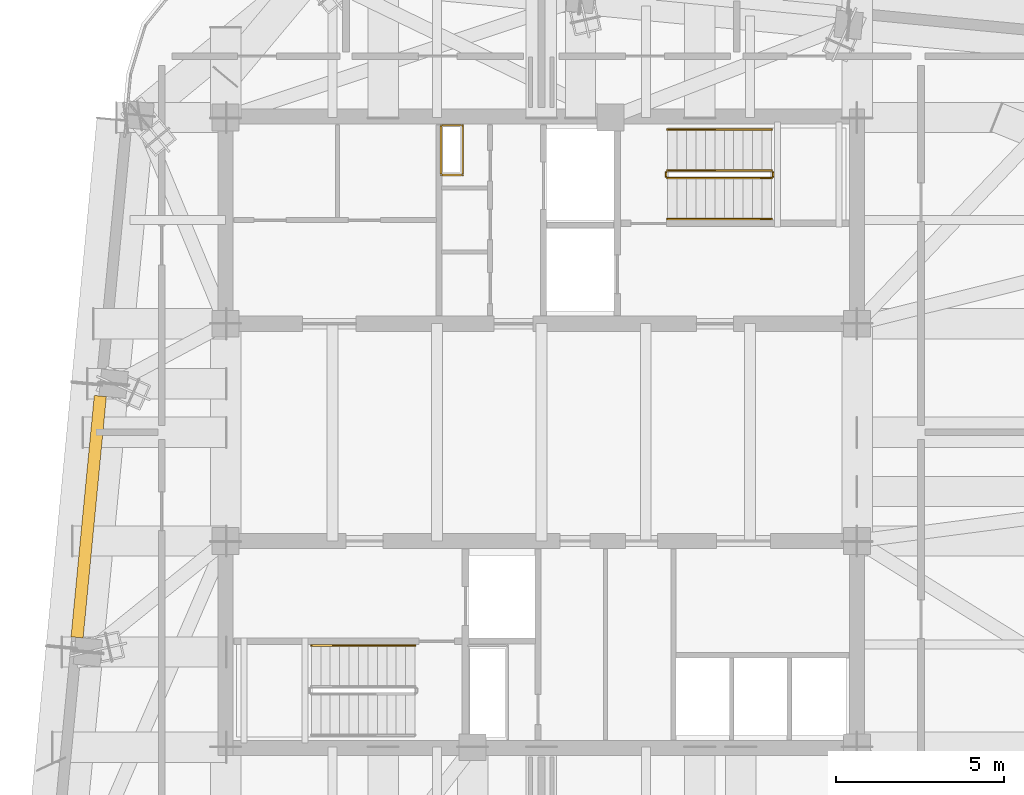
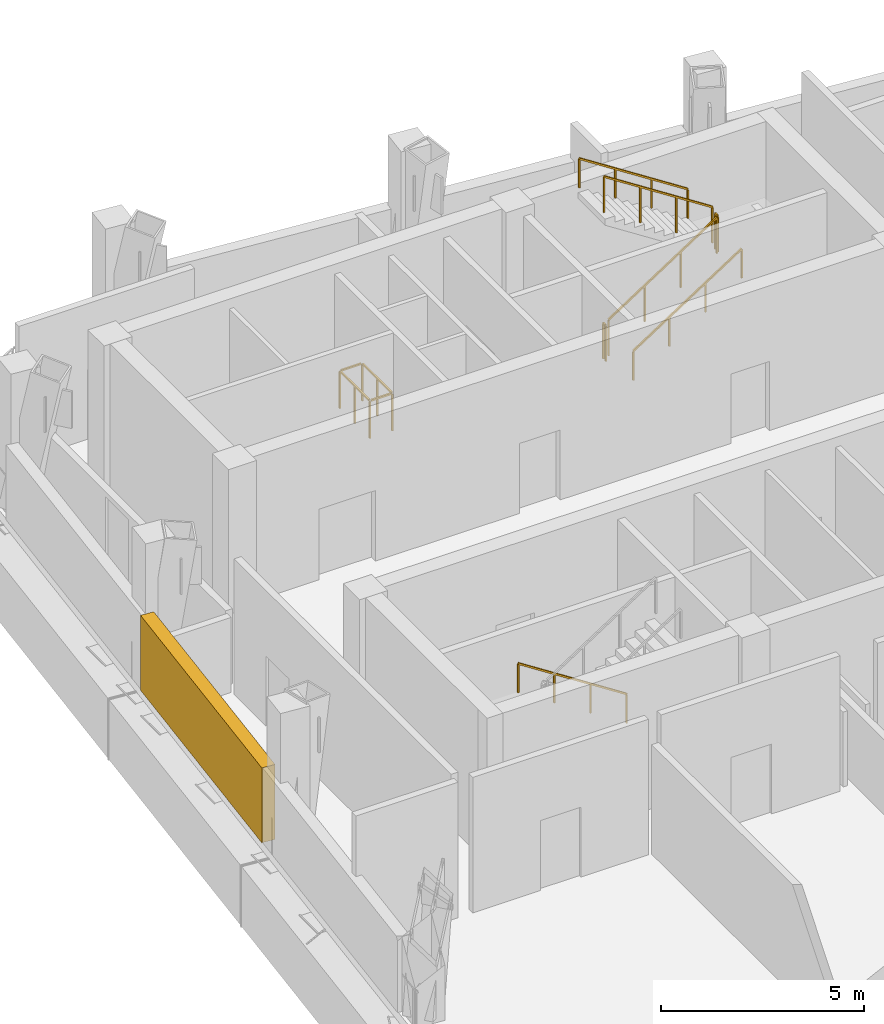
# One storey, part 8 of 9: 8 railings, 1 shading device.
"""IFC4 building model written with IfcOpenShell, lengths in metres."""

from ifc_helpers import new_model, si_unit, direction, frame, origin, origin_2d, place, context, subcontext, project, spatial, rectangle, extrude, material, type_object, element, save


model = new_model("IFC4")

# Units and contexts
model_context = context("Model", 3, precision=1e-05, world=origin(), true_north=direction((0.0, 1.0)))
body_context = subcontext(model_context, "Body", "Model", "MODEL_VIEW")
ifc_project = project(units=[si_unit("LENGTHUNIT", "METRE"), si_unit("AREAUNIT", "SQUARE_METRE"), si_unit("VOLUMEUNIT", "CUBIC_METRE"), si_unit("PLANEANGLEUNIT", "RADIAN"), si_unit("MASSUNIT", "GRAM", prefix="KILO")], contexts=[model_context])

# Site, building, storey
site_placement = place(None, origin())
site = spatial("IfcSite", under=ifc_project, at=site_placement, CompositionType="ELEMENT")
building_placement = place(site_placement, origin())
building = spatial("IfcBuilding", under=site, at=building_placement, Name="Qhalaya Broadcast Tower", CompositionType="ELEMENT")
storey_placement = place(building_placement, frame((0.0, 0.0, 284.89990234375)))
storey = spatial("IfcBuildingStorey", under=building, at=storey_placement, Name="L84", CompositionType="ELEMENT", Elevation=284.89990234375)

# Shading device
ifc_material_1 = material(Name="Fired Architectural Terracotta", Category="masonry")
shading_device_type = type_object("IfcShadingDeviceType", Name="Plant & Turbine-Slot Acoustic Louvre Screen LVS-01", PredefinedType="USERDEFINED", material=ifc_material_1)
shading_device_placement = place(storey_placement, frame((-13.44140625, -1.90478515625, 0.0), z_axis=(0.0, 0.0, 1.0), x_axis=(0.09584575252, 0.995396198367, 0.0)))
element("IfcShadingDevice", 1, at=shading_device_placement, inside=storey, type_object=shading_device_type, Name="L84 Plant Acoustic Louvre Screen W", ObjectType="LOUVRE", PredefinedType="USERDEFINED", context=body_context, shape_type="SweptSolid", body=[
    extrude(rectangle(XDim=7.199951171875, YDim=0.360107421875, at=origin_2d()), origin(), (0.0, 0.0, 1.0), 2.25),
])

# Railings
ifc_material_2 = material(Name="Powder-Coated Galvanised Steel", Category="steel")
railing_type_1 = type_object("IfcRailingType", Name="Stair Wall Handrail 900", PredefinedType="HANDRAIL", material=ifc_material_2)
railing_1_placement = place(storey_placement, frame((3.75, 6.929931640625, 0.181396484375)))
element("IfcRailing", 2, at=railing_1_placement, inside=storey, type_object=railing_type_1, Name="L84 ST-1 Stair Handrail 1", PredefinedType="HANDRAIL", context=body_context, shape_type="SweptSolid", body=[
    extrude(rectangle(XDim=0.048095703125, YDim=0.048095703125, at=origin_2d()), frame((0.0, 0.0, 0.8759765625), z_axis=(0.839488025565, 0.0, 0.543378187759), x_axis=(0.0, 1.0, 0.0)), (0.0, 0.0, 1.0), 3.6689453125),
    extrude(rectangle(XDim=0.0419921875, YDim=0.0419921875, at=origin_2d()), origin(), (0.0, 0.0, 1.0), 0.849853515625),
    extrude(rectangle(XDim=0.0419921875, YDim=0.0419921875, at=origin_2d()), frame((1.026611328125, 0.0, 0.66455078125)), (0.0, 0.0, 1.0), 0.849853515625),
    extrude(rectangle(XDim=0.0419921875, YDim=0.0419921875, at=origin_2d()), frame((2.053466796875, 0.0, 1.3291015625)), (0.0, 0.0, 1.0), 0.849853515625),
    extrude(rectangle(XDim=0.0419921875, YDim=0.0419921875, at=origin_2d()), frame((3.080078125, 0.0, 1.99365234375)), (0.0, 0.0, 1.0), 0.849853515625),
])
for number, where, name in (
    (3, (6.830078125, 9.590087890625, 2.3564453125), "L84 ST-1 Stair Handrail 2"),
    (4, (-3.75, -5.72998046875, 0.181396484375), "L84 ST-2 Stair Handrail 1"),
):
    element("IfcRailing", number, at=place(storey_placement, frame(where)), inside=storey, type_object=railing_type_1, Name=name, PredefinedType="HANDRAIL", context=body_context, shape_type="SweptSolid", body=[
        extrude(rectangle(XDim=0.048095703125, YDim=0.048095703125, at=origin_2d()), frame((0.0, 0.0, 0.8759765625), z_axis=(-0.839488025565, 0.0, 0.543378187759), x_axis=(0.0, -1.0, 0.0)), (0.0, 0.0, 1.0), 3.6689453125),
        extrude(rectangle(XDim=0.0419921875, YDim=0.0419921875, at=origin_2d()), origin(), (0.0, 0.0, 1.0), 0.849853515625),
        extrude(rectangle(XDim=0.0419921875, YDim=0.0419921875, at=origin_2d()), frame((-1.026611328125, 0.0, 0.66455078125)), (0.0, 0.0, 1.0), 0.849853515625),
        extrude(rectangle(XDim=0.0419921875, YDim=0.0419921875, at=origin_2d()), frame((-2.053466796875, 0.0, 1.3291015625)), (0.0, 0.0, 1.0), 0.849853515625),
        extrude(rectangle(XDim=0.0419921875, YDim=0.0419921875, at=origin_2d()), frame((-3.080078125, 0.0, 1.99365234375)), (0.0, 0.0, 1.0), 0.849853515625),
    ])
railing_type_2 = type_object("IfcRailingType", Name="Stair Well & Landing Guardrail 1100", PredefinedType="GUARDRAIL", material=ifc_material_2)
railing_2_placement = place(storey_placement, frame((-2.340087890625, 8.239990234375, 0.0)))
element("IfcRailing", 5, at=railing_2_placement, inside=storey, type_object=railing_type_2, Name="L84 Service Riser Opening Safety Guard NRSR", PredefinedType="GUARDRAIL", context=body_context, shape_type="SweptSolid", body=[
    extrude(rectangle(XDim=0.048095703125, YDim=0.048095703125, at=origin_2d()), frame((0.0, 0.02880859375, 1.1259765625), z_axis=(0.0, 1.0, 0.0), x_axis=(-1.0, 0.0, 0.0)), (0.0, 0.0, 1.0), 1.42236328125),
    extrude(rectangle(XDim=0.048095703125, YDim=0.048095703125, at=origin_2d()), frame((-0.02880859375, 1.47998046875, 1.1259765625), z_axis=(-1.0, 0.0, 0.0), x_axis=(0.0, -1.0, 0.0)), (0.0, 0.0, 1.0), 0.582275390625),
    extrude(rectangle(XDim=0.048095703125, YDim=0.048095703125, at=origin_2d()), frame((-0.639892578125, 1.451171875, 1.1259765625), z_axis=(0.0, -1.0, 0.0), x_axis=(1.0, 0.0, 0.0)), (0.0, 0.0, 1.0), 1.42236328125),
    extrude(rectangle(XDim=0.048095703125, YDim=0.048095703125, at=origin_2d()), frame((-0.611083984375, 0.0, 1.1259765625), z_axis=(1.0, 0.0, 0.0), x_axis=(0.0, 1.0, 0.0)), (0.0, 0.0, 1.0), 0.582275390625),
    extrude(rectangle(XDim=0.0419921875, YDim=0.0419921875, at=origin_2d()), origin(), (0.0, 0.0, 1.0), 1.099853515625),
    extrude(rectangle(XDim=0.0419921875, YDim=0.0419921875, at=origin_2d()), frame((0.0, 0.739990234375, 0.0)), (0.0, 0.0, 1.0), 1.099853515625),
    extrude(rectangle(XDim=0.0419921875, YDim=0.0419921875, at=origin_2d()), frame((0.0, 1.47998046875, 0.0)), (0.0, 0.0, 1.0), 1.099853515625),
    extrude(rectangle(XDim=0.0419921875, YDim=0.0419921875, at=origin_2d()), frame((-0.639892578125, 1.47998046875, 0.0)), (0.0, 0.0, 1.0), 1.099853515625),
    extrude(rectangle(XDim=0.0419921875, YDim=0.0419921875, at=origin_2d()), frame((-0.639892578125, 0.739990234375, 0.0)), (0.0, 0.0, 1.0), 1.099853515625),
    extrude(rectangle(XDim=0.0419921875, YDim=0.0419921875, at=origin_2d()), frame((-0.639892578125, 0.0, 0.0)), (0.0, 0.0, 1.0), 1.099853515625),
])
railing_3_placement = place(storey_placement, frame((3.75, 8.14990234375, 0.181396484375)))
element("IfcRailing", 6, at=railing_3_placement, inside=storey, type_object=railing_type_2, Name="L84 ST-1 Stair Guard 1", PredefinedType="GUARDRAIL", context=body_context, shape_type="SweptSolid", body=[
    extrude(rectangle(XDim=0.048095703125, YDim=0.048095703125, at=origin_2d()), frame((0.0, 0.0, 1.076171875), z_axis=(0.839488025565, 0.0, 0.543378187759), x_axis=(0.0, 1.0, 0.0)), (0.0, 0.0, 1.0), 3.6689453125),
    extrude(rectangle(XDim=0.0419921875, YDim=0.0419921875, at=origin_2d()), origin(), (0.0, 0.0, 1.0), 1.050048828125),
    extrude(rectangle(XDim=0.0419921875, YDim=0.0419921875, at=origin_2d()), frame((1.026611328125, 0.0, 0.66455078125)), (0.0, 0.0, 1.0), 1.050048828125),
    extrude(rectangle(XDim=0.0419921875, YDim=0.0419921875, at=origin_2d()), frame((2.053466796875, 0.0, 1.3291015625)), (0.0, 0.0, 1.0), 1.050048828125),
    extrude(rectangle(XDim=0.0419921875, YDim=0.0419921875, at=origin_2d()), frame((3.080078125, 0.0, 1.99365234375)), (0.0, 0.0, 1.0), 1.050048828125),
])
railing_4_placement = place(storey_placement, frame((6.8798828125, 8.199951171875, 2.175048828125)))
element("IfcRailing", 7, at=railing_4_placement, inside=storey, type_object=railing_type_2, Name="L84 ST-1 Stair Guard 2", PredefinedType="GUARDRAIL", context=body_context, shape_type="SweptSolid", body=[
    extrude(rectangle(XDim=0.048095703125, YDim=0.048095703125, at=origin_2d()), frame((0.0, 0.0, 1.076171875), z_axis=(0.0, 1.0, 0.0), x_axis=(-1.0, 0.0, 0.0)), (0.0, 0.0, 1.0), 0.1201171875),
    extrude(rectangle(XDim=0.0419921875, YDim=0.0419921875, at=origin_2d()), origin(), (0.0, 0.0, 1.0), 1.050048828125),
    extrude(rectangle(XDim=0.0419921875, YDim=0.0419921875, at=origin_2d()), frame((0.0, 0.1201171875, 0.0)), (0.0, 0.0, 1.0), 1.050048828125),
])
railing_5_placement = place(storey_placement, frame((6.830078125, 8.3701171875, 2.3564453125)))
element("IfcRailing", 8, at=railing_5_placement, inside=storey, type_object=railing_type_2, Name="L84 ST-1 Stair Guard 3", PredefinedType="GUARDRAIL", context=body_context, shape_type="SweptSolid", body=[
    extrude(rectangle(XDim=0.048095703125, YDim=0.048095703125, at=origin_2d()), frame((0.0, 0.0, 1.076171875), z_axis=(-0.839488025565, 0.0, 0.543378187759), x_axis=(0.0, -1.0, 0.0)), (0.0, 0.0, 1.0), 3.6689453125),
    extrude(rectangle(XDim=0.0419921875, YDim=0.0419921875, at=origin_2d()), origin(), (0.0, 0.0, 1.0), 1.050048828125),
    extrude(rectangle(XDim=0.0419921875, YDim=0.0419921875, at=origin_2d()), frame((-1.026611328125, 0.0, 0.66455078125)), (0.0, 0.0, 1.0), 1.050048828125),
    extrude(rectangle(XDim=0.0419921875, YDim=0.0419921875, at=origin_2d()), frame((-2.053466796875, 0.0, 1.3291015625)), (0.0, 0.0, 1.0), 1.050048828125),
    extrude(rectangle(XDim=0.0419921875, YDim=0.0419921875, at=origin_2d()), frame((-3.080078125, 0.0, 1.99365234375)), (0.0, 0.0, 1.0), 1.050048828125),
])
railing_6_placement = place(storey_placement, frame((3.699951171875, 8.199951171875, 0.0)))
element("IfcRailing", 9, at=railing_6_placement, inside=storey, type_object=railing_type_2, Name="L84 ST-1 Stair Guard 4", PredefinedType="GUARDRAIL", context=body_context, shape_type="SweptSolid", body=[
    extrude(rectangle(XDim=0.048095703125, YDim=0.048095703125, at=origin_2d()), frame((0.0, 0.0, 1.076171875), z_axis=(0.0, 1.0, 0.0), x_axis=(-1.0, 0.0, 0.0)), (0.0, 0.0, 1.0), 0.1201171875),
    extrude(rectangle(XDim=0.0419921875, YDim=0.0419921875, at=origin_2d()), origin(), (0.0, 0.0, 1.0), 1.050048828125),
    extrude(rectangle(XDim=0.0419921875, YDim=0.0419921875, at=origin_2d()), frame((0.0, 0.1201171875, 0.0)), (0.0, 0.0, 1.0), 1.050048828125),
])

save(model, "model.ifc")
